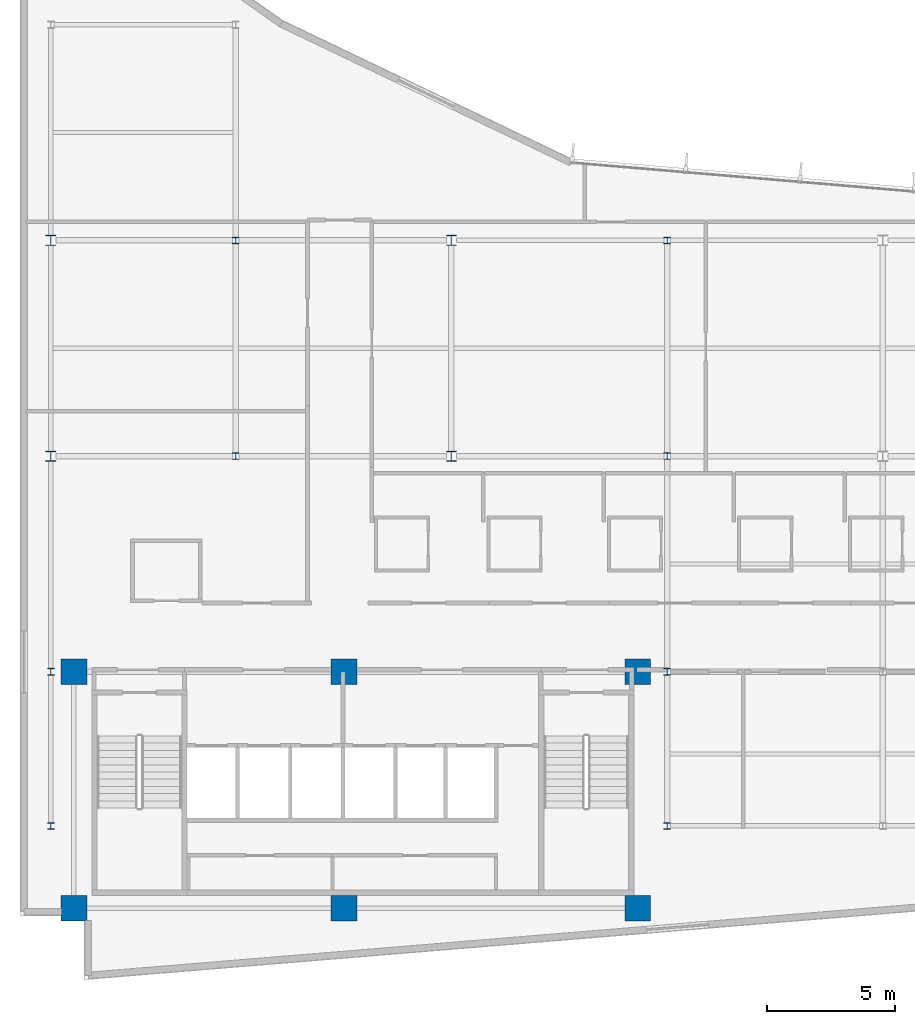
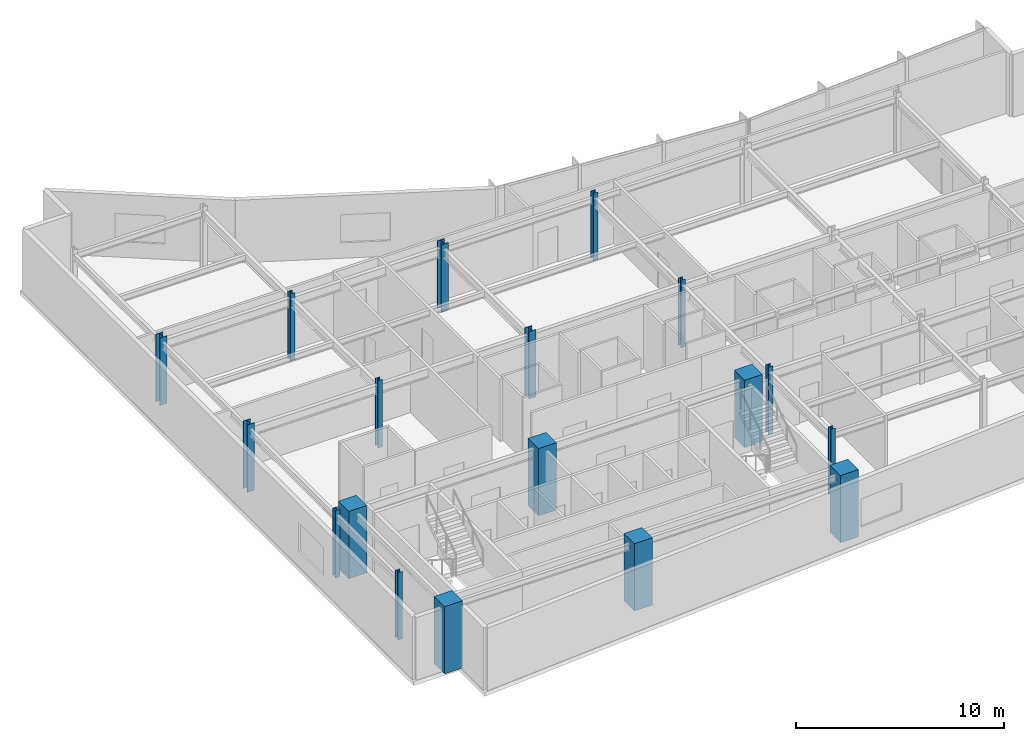
# One storey, part 1 of 15: 18 columns.
"""IFC4 building model written with IfcOpenShell, lengths in metres."""

from ifc_helpers import new_model, si_unit, direction, frame, origin, origin_2d, place, context, subcontext, project, spatial, rectangle, i_section, extrude, material, material_profile, profile_set, type_object, element, save


model = new_model("IFC4")

# Units and contexts
model_context = context("Model", 3, precision=1e-05, world=origin(), true_north=direction((0.0, 1.0)))
body_context = subcontext(model_context, "Body", "Model", "MODEL_VIEW")
ifc_project = project(units=[si_unit("LENGTHUNIT", "METRE"), si_unit("AREAUNIT", "SQUARE_METRE"), si_unit("VOLUMEUNIT", "CUBIC_METRE"), si_unit("PLANEANGLEUNIT", "RADIAN"), si_unit("MASSUNIT", "GRAM", prefix="KILO")], contexts=[model_context])

# Site, building, storey
site_placement = place(None, origin())
site = spatial("IfcSite", under=ifc_project, at=site_placement, CompositionType="ELEMENT")
building_placement = place(site_placement, origin())
building = spatial("IfcBuilding", under=site, at=building_placement, Name="Varnakote Quay Hospital", CompositionType="ELEMENT")
storey_placement = place(building_placement, frame((0.0, 0.0, 231.60009765625)))
storey = spatial("IfcBuildingStorey", under=building, at=storey_placement, Name="L57", CompositionType="ELEMENT", Elevation=231.60009765625)

# Columns
ifc_material_1 = material(Name="Concrete N65 (f'c 65 MPa)", Category="concrete")
ifc_material_profile_1 = material_profile(ifc_material_1, rectangle(XDim=1.0, YDim=1.0, at=origin_2d()), Name="RC-COL-1000x1000")
ifc_profile_set_1 = profile_set([ifc_material_profile_1], Name="Concrete N65 (f'c 65 MPa)")
column_type_1 = type_object("IfcColumnType", Name="COL-RC-1000", PredefinedType="COLUMN", material=ifc_profile_set_1)
for number, where, z_axis, x_axis, name in (
    (1, (2.10009765625, 2.800048828125, 0.0), (0.0, 0.0, 1.0), (1.0, 0.0, 0.0), "L57 Structural Column C-2-3"),
    (2, (12.6201171875, 2.800048828125, 0.0), (0.0, 0.0, 1.0), (1.0, 0.0, 0.0), "L57 Structural Column C-13-3"),
    (3, (24.050048828125, 2.800048828125, 0.0), (0.0, 0.0, 1.0), (1.0, 0.0, 0.0), "L57 Structural Column C-24-3"),
    (4, (2.10009765625, 12.0, 0.0), (0.0, 0.0, 1.0), (1.0, 0.0, 0.0), "L57 Structural Column C-2-12"),
    (5, (12.6201171875, 12.0, 0.0), (0.0, 0.0, 1.0), (1.0, 0.0, 0.0), "L57 Structural Column C-13-12"),
    (6, (24.050048828125, 12.0, 0.0), (0.0, 0.0, 1.0), (1.0, 0.0, 0.0), "L57 Structural Column C-24-12"),
):
    element("IfcColumn", number, at=place(storey_placement, frame(where, z_axis=z_axis, x_axis=x_axis)), inside=storey, type_object=column_type_1, Name=name, PredefinedType="COLUMN", context=body_context, shape_type="SweptSolid", body=[
        extrude(rectangle(XDim=1.0, YDim=1.0, at=origin_2d()), origin(), (0.0, 0.0, 1.0), 3.949951171875),
    ])
ifc_material_2 = material(Name="Structural steel AS/NZS 3679.1 Grade 350 L0 (fy 340 MPa)", Category="steel")
ifc_material_profile_2 = material_profile(ifc_material_2, i_section(OverallWidth=0.256103515625, OverallDepth=0.260009765625, WebThickness=0.010498046875, FlangeThickness=0.017333984375, FilletRadius=0.0126953125, at=origin_2d()), Name="250UC89.5")
ifc_profile_set_2 = profile_set([ifc_material_profile_2], Name="Structural steel AS/NZS 3679.1 Grade 350 L0 (fy 340 MPa)")
column_type_2 = type_object("IfcColumnType", Name="COL-STL-250UC89-5", PredefinedType="COLUMN", material=ifc_profile_set_2)
for number, where, z_axis, x_axis, name in (
    (7, (1.199951171875, 6.0, 0.0), (0.0, 0.0, 1.0), (1.0, 0.0, 0.0), "L57 Structural Column C-1-6"),
    (8, (25.199951171875, 6.0, 0.0), (0.0, 0.0, 1.0), (1.0, 0.0, 0.0), "L57 Structural Column C-25-6"),
    (9, (1.199951171875, 12.0, 0.0), (0.0, 0.0, 1.0), (1.0, 0.0, 0.0), "L57 Structural Column C-1-12"),
    (10, (25.199951171875, 12.0, 0.0), (0.0, 0.0, 1.0), (1.0, 0.0, 0.0), "L57 Structural Column C-25-12"),
    (11, (8.39990234375, 20.39990234375, 0.0), (0.0, 0.0, 1.0), (1.0, 0.0, 0.0), "L57 Structural Column C-8-20"),
    (12, (25.199951171875, 20.39990234375, 0.0), (0.0, 0.0, 1.0), (1.0, 0.0, 0.0), "L57 Structural Column C-25-20"),
    (13, (8.39990234375, 28.800048828125, 0.0), (0.0, 0.0, 1.0), (1.0, 0.0, 0.0), "L57 Structural Column C-8-29"),
    (14, (25.199951171875, 28.800048828125, 0.0), (0.0, 0.0, 1.0), (1.0, 0.0, 0.0), "L57 Structural Column C-25-29"),
):
    element("IfcColumn", number, at=place(storey_placement, frame(where, z_axis=z_axis, x_axis=x_axis)), inside=storey, type_object=column_type_2, Name=name, PredefinedType="COLUMN", context=body_context, shape_type="SweptSolid", body=[
        extrude(i_section(OverallWidth=0.256103515625, OverallDepth=0.260009765625, WebThickness=0.010498046875, FlangeThickness=0.017333984375, FilletRadius=0.0126953125, at=origin_2d()), origin(), (0.0, 0.0, 1.0), 3.949951171875),
    ])
ifc_material_3 = material(Name="Structural steel AS/NZS 3678 Grade 350 (fy 340 MPa)", Category="steel")
ifc_material_profile_3 = material_profile(ifc_material_3, i_section(OverallWidth=0.39990234375, OverallDepth=0.404052734375, WebThickness=0.02001953125, FlangeThickness=0.031982421875, at=origin_2d()), Name="400WC270")
ifc_profile_set_3 = profile_set([ifc_material_profile_3], Name="Structural steel AS/NZS 3678 Grade 350 (fy 340 MPa)")
column_type_3 = type_object("IfcColumnType", Name="COL-STL-400WC270", PredefinedType="COLUMN", material=ifc_profile_set_3)
for number, where, z_axis, x_axis, name in (
    (15, (1.199951171875, 20.39990234375, 0.0), (0.0, 0.0, 1.0), (1.0, 0.0, 0.0), "L57 Structural Column C-1-20"),
    (16, (16.800048828125, 20.39990234375, 0.0), (0.0, 0.0, 1.0), (1.0, 0.0, 0.0), "L57 Structural Column C-17-20"),
    (17, (1.199951171875, 28.800048828125, 0.0), (0.0, 0.0, 1.0), (1.0, 0.0, 0.0), "L57 Structural Column C-1-29"),
    (18, (16.800048828125, 28.800048828125, 0.0), (0.0, 0.0, 1.0), (1.0, 0.0, 0.0), "L57 Structural Column C-17-29"),
):
    element("IfcColumn", number, at=place(storey_placement, frame(where, z_axis=z_axis, x_axis=x_axis)), inside=storey, type_object=column_type_3, Name=name, PredefinedType="COLUMN", context=body_context, shape_type="SweptSolid", body=[
        extrude(i_section(OverallWidth=0.39990234375, OverallDepth=0.404052734375, WebThickness=0.02001953125, FlangeThickness=0.031982421875, at=origin_2d()), origin(), (0.0, 0.0, 1.0), 3.949951171875),
    ])

save(model, "model.ifc")
